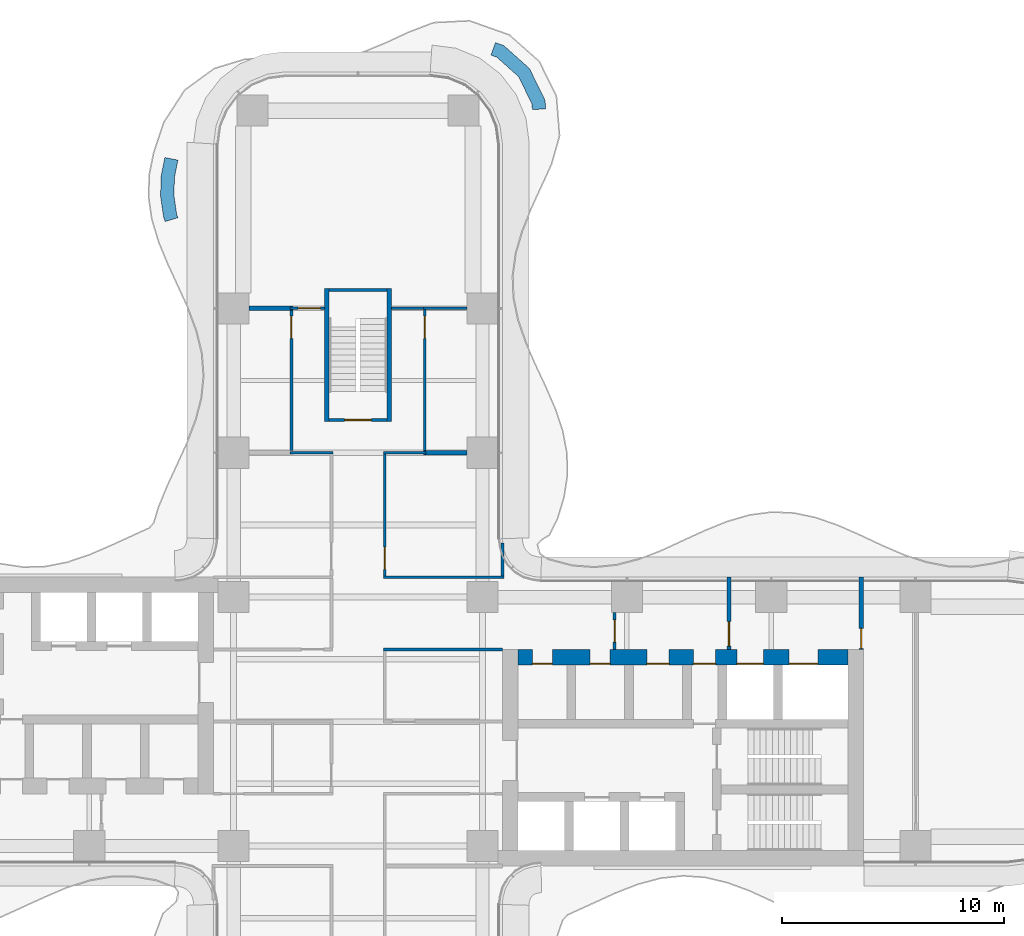
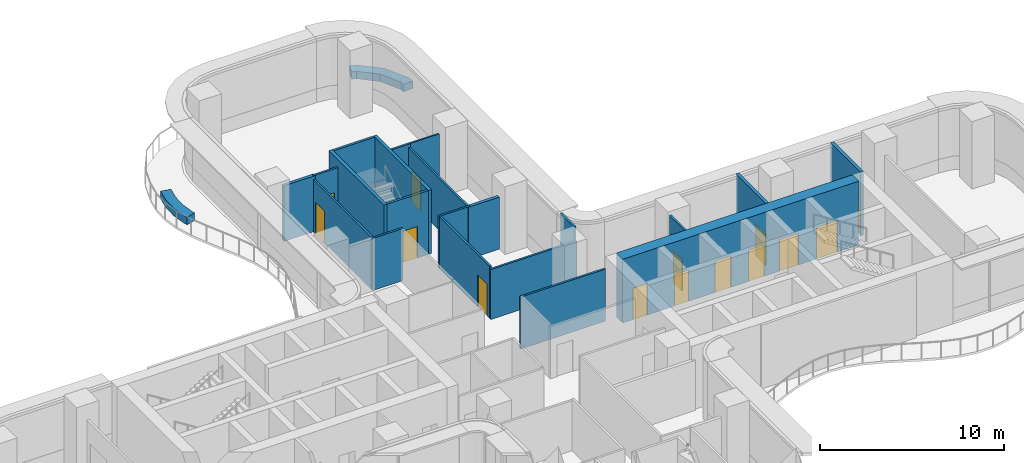
# One storey, part 19 of 22: 23 walls, 14 doors, 14 openings.
"""IFC4 building model written with IfcOpenShell, lengths in metres."""

from ifc_helpers import new_model, si_unit, direction, frame, frame_2d, origin, place, context, subcontext, project, spatial, polyline, rectangle, outline, extrude, source, transform, mapped, material, layer, layer_set, type_object, element, fill, save


model = new_model("IFC4")

# Units and contexts
model_context = context("Model", 3, precision=1e-05, world=origin(), true_north=direction((0.0, 1.0)))
body_context = subcontext(model_context, "Body", "Model", "MODEL_VIEW")
ifc_project = project(units=[si_unit("LENGTHUNIT", "METRE"), si_unit("AREAUNIT", "SQUARE_METRE"), si_unit("VOLUMEUNIT", "CUBIC_METRE"), si_unit("PLANEANGLEUNIT", "RADIAN"), si_unit("MASSUNIT", "GRAM", prefix="KILO")], contexts=[model_context])

# Site, building, storey
site_placement = place(None, origin())
site = spatial("IfcSite", under=ifc_project, at=site_placement, CompositionType="ELEMENT")
building_placement = place(site_placement, origin())
building = spatial("IfcBuilding", under=site, at=building_placement, Name="Trellis Farm Tower", CompositionType="ELEMENT")
storey_placement = place(building_placement, frame((0.0, 0.0, 38.5)))
storey = spatial("IfcBuildingStorey", under=building, at=storey_placement, Name="L07", CompositionType="ELEMENT", Elevation=38.5)

# Walls
ifc_material_1 = material(Name="Sandstone faced masonry planter", Category="masonry")
ifc_layer_1 = layer(ifc_material_1, 0.60009765625)
ifc_layer_set_1 = layer_set([ifc_layer_1], Name="PLANTER BED 600")
wall_type_1 = type_object("IfcWallType", Name="PLANTER BED 600", PredefinedType="USERDEFINED", material=ifc_layer_set_1)
placement = place(storey_placement, origin())
element("IfcWall", 1, at=placement, inside=storey, type_object=wall_type_1, Name="PLANTER bed", ObjectType="PLANTER", PredefinedType="USERDEFINED", context=body_context, shape_type="SweptSolid", body=[
    extrude(outline(polyline([(6.5673828125, 30.42431640625), (7.7158203125, 29.3984375), (8.420166015625, 27.958740234375), (8.4462890625, 27.58349609375), (7.84765625, 27.5419921875), (7.82958984375, 27.80029296875), (7.228515625, 29.029052734375), (6.25341796875, 29.900146484375), (5.982421875, 29.9990234375), (6.188232421875, 30.5625), (6.5673828125, 30.42431640625)])), origin(), (0.0, 0.0, 1.0), 0.5),
])
element("IfcWall", 2, at=placement, inside=storey, type_object=wall_type_1, Name="PLANTER bed", ObjectType="PLANTER", PredefinedType="USERDEFINED", context=body_context, shape_type="SweptSolid", body=[
    extrude(outline(polyline([(-8.8876953125, 23.645263671875), (-8.861083984375, 24.550048828125), (-8.694091796875, 25.387939453125), (-8.105712890625, 25.270751953125), (-8.2626953125, 24.482177734375), (-8.286376953125, 23.6796875), (-8.16748046875, 22.861328125), (-8.11279296875, 22.6787109375), (-8.687255859375, 22.506103515625), (-8.7548828125, 22.731201171875), (-8.8876953125, 23.645263671875)])), origin(), (0.0, 0.0, 1.0), 0.5),
])

# Wall, opening, door
ifc_material_2 = material(Name="Masonry blockwork", Category="masonry")
ifc_layer_2 = layer(ifc_material_2, 0.199951171875)
ifc_layer_set_2 = layer_set([ifc_layer_2], Name="FIRE LOBBY PARTITION 200 BLOCKWORK")
wall_type_2 = type_object("IfcWallType", Name="FIRE LOBBY PARTITION 200 BLOCKWORK", PredefinedType="PARTITIONING", material=ifc_layer_set_2)
shared_shape_1 = source(origin(), body_context, "Body", "SweptSolid", [
    extrude(rectangle(XDim=3.25, YDim=0.199951171875, at=frame_2d((1.625, 0.0))), origin(), (0.0, 0.0, 1.0), 4.25),
])
wall_3_placement = place(storey_placement, frame((16.699951171875, 3.25, 0.0), z_axis=(0.0, 0.0, 1.0), x_axis=(0.0, 1.0, 0.0)))
wall_3 = element("IfcWall", 3, at=wall_3_placement, inside=storey, type_object=wall_type_2, Name="Fire-fighting lobby partition", PredefinedType="PARTITIONING", context=body_context, shape_type="MappedRepresentation", body=[
    mapped(shared_shape_1, transform((0.0, 0.0, 0.0))),
])
shared_shape_2 = source(origin(), body_context, "Body", "SweptSolid", [
    extrude(rectangle(XDim=1.10009765625, YDim=2.10009765625, at=frame_2d((0.550048828125, 1.050048828125))), frame((0.0, 0.110107421875, 0.0), z_axis=(0.0, -1.0, 0.0), x_axis=(1.0, 0.0, 0.0)), (0.0, 0.0, 1.0), 0.22021484375),
])
opening_1_placement = place(wall_3_placement, frame((0.14990234375, 0.0, 0.0)))
opening_1 = element("IfcOpeningElement", 4, at=opening_1_placement, cuts=wall_3, Name="Opening DC7", PredefinedType="OPENING", context=body_context, shape_type="MappedRepresentation", body=[
    mapped(shared_shape_2, transform((0.0, 0.0, 0.0))),
])
ifc_material_3 = material(Name="Steel", Category="steel")
door_type_1 = type_object("IfcDoorType", Name="CORE FIRE DOOR 1100 X 2100", OperationType="NOTDEFINED", PredefinedType="DOOR", material=ifc_material_3)
shared_shape_3 = source(origin(), body_context, "Body", "SweptSolid", [
    extrude(rectangle(XDim=1.10009765625, YDim=2.10009765625, at=frame_2d((0.550048828125, 1.050048828125))), frame((0.0, 0.02490234375, 0.0), z_axis=(0.0, -1.0, 0.0), x_axis=(1.0, 0.0, 0.0)), (0.0, 0.0, 1.0), 0.050048828125),
])
door_1_placement = place(opening_1_placement, origin())
door_1 = element("IfcDoor", 5, at=door_1_placement, inside=storey, type_object=door_type_1, Name="Core door", OperationType="SINGLE_SWING_RIGHT", OverallHeight=2.10009765625, OverallWidth=1.10009765625, PredefinedType="DOOR", context=body_context, shape_type="MappedRepresentation", body=[
    mapped(shared_shape_3, transform((0.0, 0.0, 0.0))),
])
fill(opening_1, door_1)

wall_4_placement = place(storey_placement, frame((22.64990234375, 3.25, 0.0), z_axis=(0.0, 0.0, 1.0), x_axis=(0.0, 1.0, 0.0)))
wall_4 = element("IfcWall", 6, at=wall_4_placement, inside=storey, type_object=wall_type_2, Name="Fire-fighting lobby partition", PredefinedType="PARTITIONING", context=body_context, shape_type="MappedRepresentation", body=[
    mapped(shared_shape_1, transform((0.0, 0.0, 0.0))),
])
shared_shape_4 = source(origin(), body_context, "Body", "SweptSolid", [
    extrude(rectangle(XDim=0.89990234375, YDim=2.10009765625, at=frame_2d((0.449951171875, 1.050048828125))), frame((0.0, 0.110107421875, 0.0), z_axis=(0.0, -1.0, 0.0), x_axis=(1.0, 0.0, 0.0)), (0.0, 0.0, 1.0), 0.22021484375),
])
opening_2_placement = place(wall_4_placement, frame((0.050048828125, 0.0, 0.0)))
opening_2 = element("IfcOpeningElement", 7, at=opening_2_placement, cuts=wall_4, Name="Opening DC8", PredefinedType="OPENING", context=body_context, shape_type="MappedRepresentation", body=[
    mapped(shared_shape_4, transform((0.0, 0.0, 0.0))),
])
door_type_2 = type_object("IfcDoorType", Name="CORE FIRE DOOR 900 X 2100", OperationType="NOTDEFINED", PredefinedType="DOOR", material=ifc_material_3)
shared_shape_5 = source(origin(), body_context, "Body", "SweptSolid", [
    extrude(rectangle(XDim=0.89990234375, YDim=2.10009765625, at=frame_2d((0.449951171875, 1.050048828125))), frame((0.0, 0.02490234375, 0.0), z_axis=(0.0, -1.0, 0.0), x_axis=(1.0, 0.0, 0.0)), (0.0, 0.0, 1.0), 0.050048828125),
])
door_2_placement = place(opening_2_placement, origin())
door_2 = element("IfcDoor", 8, at=door_2_placement, inside=storey, type_object=door_type_2, Name="Core door", OperationType="SINGLE_SWING_RIGHT", OverallHeight=2.10009765625, OverallWidth=0.89990234375, PredefinedType="DOOR", context=body_context, shape_type="MappedRepresentation", body=[
    mapped(shared_shape_5, transform((0.0, 0.0, 0.0))),
])
fill(opening_2, door_2)

# Wall, openings, doors
ifc_material_4 = material(Name="Concrete C80/95", Category="concrete")
ifc_layer_3 = layer(ifc_material_4, 0.699951171875)
ifc_layer_set_3 = layer_set([ifc_layer_3], Name="CORE OUTER WALL 700 CONCRETE C80/95")
wall_type_3 = type_object("IfcWallType", Name="CORE OUTER WALL 700 CONCRETE C80/95", PredefinedType="SHEAR", material=ifc_layer_set_3)
shared_shape_6 = source(origin(), body_context, "Body", "SweptSolid", [
    extrude(rectangle(XDim=14.85009765625, YDim=0.699951171875, at=frame_2d((7.425048828125, 0.0))), origin(), (0.0, 0.0, 1.0), 4.25),
])
wall_5_placement = place(storey_placement, frame((7.199951171875, 2.89990234375, 0.0), z_axis=(0.0, 0.0, 1.0), x_axis=(1.0, 0.0, 0.0)))
wall_5 = element("IfcWall", 9, at=wall_5_placement, inside=storey, type_object=wall_type_3, Name="Core wall", PredefinedType="SHEAR", context=body_context, shape_type="MappedRepresentation", body=[
    mapped(shared_shape_6, transform((0.0, 0.0, 0.0))),
])
shared_shape_7 = source(origin(), body_context, "Body", "SweptSolid", [
    extrude(rectangle(XDim=1.300048828125, YDim=2.10009765625, at=frame_2d((0.64990234375, 1.050048828125))), frame((0.0, 0.360107421875, 0.0), z_axis=(0.0, -1.0, 0.0), x_axis=(1.0, 0.0, 0.0)), (0.0, 0.0, 1.0), 0.72021484375),
])
opening_3_placement = place(wall_5_placement, frame((12.199951171875, 0.0, 0.0)))
opening_3 = element("IfcOpeningElement", 10, at=opening_3_placement, cuts=wall_5, Name="Opening LD7", PredefinedType="OPENING", context=body_context, shape_type="MappedRepresentation", body=[
    mapped(shared_shape_7, transform((0.0, 0.0, 0.0))),
])
shared_shape_8 = source(origin(), body_context, "Body", "SweptSolid", [
    extrude(rectangle(XDim=1.199951171875, YDim=2.10009765625, at=frame_2d((0.60009765625, 1.050048828125))), frame((0.0, 0.360107421875, 0.0), z_axis=(0.0, -1.0, 0.0), x_axis=(1.0, 0.0, 0.0)), (0.0, 0.0, 1.0), 0.72021484375),
])
opening_4_placement = place(wall_5_placement, frame((9.85009765625, 0.0, 0.0)))
opening_4 = element("IfcOpeningElement", 11, at=opening_4_placement, cuts=wall_5, Name="Opening LD8", PredefinedType="OPENING", context=body_context, shape_type="MappedRepresentation", body=[
    mapped(shared_shape_8, transform((0.0, 0.0, 0.0))),
])
shared_shape_9 = source(origin(), body_context, "Body", "SweptSolid", [
    extrude(rectangle(XDim=1.0, YDim=2.10009765625, at=frame_2d((0.5, 1.050048828125))), frame((0.0, 0.360107421875, 0.0), z_axis=(0.0, -1.0, 0.0), x_axis=(1.0, 0.0, 0.0)), (0.0, 0.0, 1.0), 0.72021484375),
])
opening_5_placement = place(wall_5_placement, frame((7.89990234375, 0.0, 0.0)))
opening_5 = element("IfcOpeningElement", 12, at=opening_5_placement, cuts=wall_5, Name="Opening DC6", PredefinedType="OPENING", context=body_context, shape_type="MappedRepresentation", body=[
    mapped(shared_shape_9, transform((0.0, 0.0, 0.0))),
])
shared_shape_10 = source(origin(), body_context, "Body", "SweptSolid", [
    extrude(rectangle(XDim=0.89990234375, YDim=2.10009765625, at=frame_2d((0.449951171875, 1.050048828125))), frame((0.0, 0.360107421875, 0.0), z_axis=(0.0, -1.0, 0.0), x_axis=(1.0, 0.0, 0.0)), (0.0, 0.0, 1.0), 0.72021484375),
])
opening_6_placement = place(wall_5_placement, frame((0.64990234375, 0.0, 0.0)))
opening_6 = element("IfcOpeningElement", 13, at=opening_6_placement, cuts=wall_5, Name="Opening DC11", PredefinedType="OPENING", context=body_context, shape_type="MappedRepresentation", body=[
    mapped(shared_shape_10, transform((0.0, 0.0, 0.0))),
])
opening_7_placement = place(wall_5_placement, frame((3.25, 0.0, 0.0)))
opening_7 = element("IfcOpeningElement", 14, at=opening_7_placement, cuts=wall_5, Name="Opening DC24", PredefinedType="OPENING", context=body_context, shape_type="MappedRepresentation", body=[
    mapped(shared_shape_10, transform((0.0, 0.0, 0.0))),
])
opening_8_placement = place(wall_5_placement, frame((5.800048828125, 0.0, 0.0)))
opening_8 = element("IfcOpeningElement", 15, at=opening_8_placement, cuts=wall_5, Name="Opening DC37", PredefinedType="OPENING", context=body_context, shape_type="MappedRepresentation", body=[
    mapped(shared_shape_9, transform((0.0, 0.0, 0.0))),
])
door_type_3 = type_object("IfcDoorType", Name="CORE FIRE DOOR 1000 X 2100", OperationType="NOTDEFINED", PredefinedType="DOOR", material=ifc_material_3)
shared_shape_11 = source(origin(), body_context, "Body", "SweptSolid", [
    extrude(rectangle(XDim=1.0, YDim=2.10009765625, at=frame_2d((0.5, 1.050048828125))), frame((0.0, -0.27490234375, 0.0), z_axis=(0.0, -1.0, 0.0), x_axis=(1.0, 0.0, 0.0)), (0.0, 0.0, 1.0), 0.050048828125),
])
door_3_placement = place(opening_5_placement, origin())
door_3 = element("IfcDoor", 16, at=door_3_placement, inside=storey, type_object=door_type_3, Name="Core door", OperationType="SINGLE_SWING_LEFT", OverallHeight=2.10009765625, OverallWidth=1.0, PredefinedType="DOOR", context=body_context, shape_type="MappedRepresentation", body=[
    mapped(shared_shape_11, transform((0.0, 0.0, 0.0))),
])
fill(opening_5, door_3)
door_4_placement = place(opening_8_placement, origin())
door_4 = element("IfcDoor", 17, at=door_4_placement, inside=storey, type_object=door_type_3, Name="Core door", OperationType="SINGLE_SWING_LEFT", OverallHeight=2.10009765625, OverallWidth=1.0, PredefinedType="DOOR", context=body_context, shape_type="MappedRepresentation", body=[
    mapped(shared_shape_11, transform((0.0, 0.0, 0.0))),
])
fill(opening_8, door_4)
shared_shape_12 = source(origin(), body_context, "Body", "SweptSolid", [
    extrude(rectangle(XDim=0.89990234375, YDim=2.10009765625, at=frame_2d((0.449951171875, 1.050048828125))), frame((0.0, -0.27490234375, 0.0), z_axis=(0.0, -1.0, 0.0), x_axis=(1.0, 0.0, 0.0)), (0.0, 0.0, 1.0), 0.050048828125),
])
door_5_placement = place(opening_6_placement, origin())
door_5 = element("IfcDoor", 18, at=door_5_placement, inside=storey, type_object=door_type_2, Name="Core door", OperationType="SINGLE_SWING_LEFT", OverallHeight=2.10009765625, OverallWidth=0.89990234375, PredefinedType="DOOR", context=body_context, shape_type="MappedRepresentation", body=[
    mapped(shared_shape_12, transform((0.0, 0.0, 0.0))),
])
fill(opening_6, door_5)
door_6_placement = place(opening_7_placement, origin())
door_6 = element("IfcDoor", 19, at=door_6_placement, inside=storey, type_object=door_type_2, Name="Core door", OperationType="SINGLE_SWING_RIGHT", OverallHeight=2.10009765625, OverallWidth=0.89990234375, PredefinedType="DOOR", context=body_context, shape_type="MappedRepresentation", body=[
    mapped(shared_shape_12, transform((0.0, 0.0, 0.0))),
])
fill(opening_7, door_6)
ifc_material_5 = material(Name="Stainless steel", Category="steel")
door_type_4 = type_object("IfcDoorType", Name="LIFT LANDING DOOR 1300 X 2100", OperationType="DOUBLE_DOOR_SLIDING", PredefinedType="DOOR", material=ifc_material_5)
shared_shape_13 = source(origin(), body_context, "Body", "SweptSolid", [
    extrude(rectangle(XDim=1.300048828125, YDim=2.10009765625, at=frame_2d((0.64990234375, 1.050048828125))), frame((0.0, -0.27490234375, 0.0), z_axis=(0.0, -1.0, 0.0), x_axis=(1.0, 0.0, 0.0)), (0.0, 0.0, 1.0), 0.050048828125),
])
door_7_placement = place(opening_3_placement, origin())
door_7 = element("IfcDoor", 20, at=door_7_placement, inside=storey, type_object=door_type_4, Name="Lift landing door", OperationType="DOUBLE_DOOR_SLIDING", OverallHeight=2.10009765625, OverallWidth=1.300048828125, PredefinedType="DOOR", context=body_context, shape_type="MappedRepresentation", body=[
    mapped(shared_shape_13, transform((0.0, 0.0, 0.0))),
])
fill(opening_3, door_7)
door_type_5 = type_object("IfcDoorType", Name="LIFT LANDING DOOR 1200 X 2100", OperationType="DOUBLE_DOOR_SLIDING", PredefinedType="DOOR", material=ifc_material_5)
shared_shape_14 = source(origin(), body_context, "Body", "SweptSolid", [
    extrude(rectangle(XDim=1.199951171875, YDim=2.10009765625, at=frame_2d((0.60009765625, 1.050048828125))), frame((0.0, -0.27490234375, 0.0), z_axis=(0.0, -1.0, 0.0), x_axis=(1.0, 0.0, 0.0)), (0.0, 0.0, 1.0), 0.050048828125),
])
door_8_placement = place(opening_4_placement, origin())
door_8 = element("IfcDoor", 21, at=door_8_placement, inside=storey, type_object=door_type_5, Name="Lift landing door", OperationType="DOUBLE_DOOR_SLIDING", OverallHeight=2.10009765625, OverallWidth=1.199951171875, PredefinedType="DOOR", context=body_context, shape_type="MappedRepresentation", body=[
    mapped(shared_shape_14, transform((0.0, 0.0, 0.0))),
])
fill(opening_4, door_8)

# Walls
ifc_layer_4 = layer(ifc_material_4, 0.199951171875)
ifc_layer_set_4 = layer_set([ifc_layer_4], Name="CORE STAIR ENCLOSURE WALL 200 CONCRETE C80/95")
wall_type_4 = type_object("IfcWallType", Name="CORE STAIR ENCLOSURE WALL 200 CONCRETE C80/95", PredefinedType="SHEAR", material=ifc_layer_set_4)
shared_shape_15 = source(origin(), body_context, "Body", "SweptSolid", [
    extrude(rectangle(XDim=6.0, YDim=0.199951171875, at=frame_2d((3.0, 0.0))), origin(), (0.0, 0.0, 1.0), 4.25),
])
for number, where, z_axis, x_axis, name in (
    (22, (-1.39990234375, 13.5, 0.0), (0.0, 0.0, 1.0), (0.0, 1.0, 0.0), "Stair enclosure wall"),
    (23, (1.39990234375, 13.5, 0.0), (0.0, 0.0, 1.0), (0.0, 1.0, 0.0), "Stair enclosure wall"),
):
    element("IfcWall", number, at=place(storey_placement, frame(where, z_axis=z_axis, x_axis=x_axis)), inside=storey, type_object=wall_type_4, Name=name, PredefinedType="SHEAR", context=body_context, shape_type="MappedRepresentation", body=[
        mapped(shared_shape_15, transform((0.0, 0.0, 0.0))),
    ])

# Wall, opening, door
ifc_layer_5 = layer(ifc_material_4, 0.14990234375)
ifc_layer_set_5 = layer_set([ifc_layer_5], Name="CORE STAIR ENCLOSURE WALL 150 CONCRETE C80/95")
wall_type_5 = type_object("IfcWallType", Name="CORE STAIR ENCLOSURE WALL 150 CONCRETE C80/95", PredefinedType="SHEAR", material=ifc_layer_set_5)
shared_shape_16 = source(origin(), body_context, "Body", "SweptSolid", [
    extrude(rectangle(XDim=2.60009765625, YDim=0.14990234375, at=frame_2d((1.300048828125, 0.0))), origin(), (0.0, 0.0, 1.0), 4.25),
])
wall_6_placement = place(storey_placement, frame((-1.300048828125, 13.574951171875, 0.0), z_axis=(0.0, 0.0, 1.0), x_axis=(1.0, 0.0, 0.0)))
wall_6 = element("IfcWall", 24, at=wall_6_placement, inside=storey, type_object=wall_type_5, Name="Stair enclosure wall", PredefinedType="SHEAR", context=body_context, shape_type="MappedRepresentation", body=[
    mapped(shared_shape_16, transform((0.0, 0.0, 0.0))),
])
shared_shape_17 = source(origin(), body_context, "Body", "SweptSolid", [
    extrude(rectangle(XDim=1.199951171875, YDim=2.10009765625, at=frame_2d((0.60009765625, 1.050048828125))), frame((0.0, 0.0849609375, 0.0), z_axis=(0.0, -1.0, 0.0), x_axis=(1.0, 0.0, 0.0)), (0.0, 0.0, 1.0), 0.169921875),
])
opening_9_placement = place(wall_6_placement, frame((0.699951171875, 0.0, 0.0)))
opening_9 = element("IfcOpeningElement", 25, at=opening_9_placement, cuts=wall_6, Name="Opening DC173", PredefinedType="OPENING", context=body_context, shape_type="MappedRepresentation", body=[
    mapped(shared_shape_17, transform((0.0, 0.0, 0.0))),
])
door_type_6 = type_object("IfcDoorType", Name="CORE FIRE DOOR 1200 X 2100", OperationType="NOTDEFINED", PredefinedType="DOOR", material=ifc_material_3)
shared_shape_18 = source(origin(), body_context, "Body", "SweptSolid", [
    extrude(rectangle(XDim=1.199951171875, YDim=2.10009765625, at=frame_2d((0.60009765625, 1.050048828125))), frame((0.0, 0.02490234375, 0.0), z_axis=(0.0, -1.0, 0.0), x_axis=(1.0, 0.0, 0.0)), (0.0, 0.0, 1.0), 0.050048828125),
])
door_9_placement = place(opening_9_placement, origin())
door_9 = element("IfcDoor", 26, at=door_9_placement, inside=storey, type_object=door_type_6, Name="Core door", OperationType="SINGLE_SWING_LEFT", OverallHeight=2.10009765625, OverallWidth=1.199951171875, PredefinedType="DOOR", context=body_context, shape_type="MappedRepresentation", body=[
    mapped(shared_shape_18, transform((0.0, 0.0, 0.0))),
])
fill(opening_9, door_9)

# Wall
wall_7_placement = place(storey_placement, frame((-1.300048828125, 19.425048828125, 0.0), z_axis=(0.0, 0.0, 1.0), x_axis=(1.0, 0.0, 0.0)))
element("IfcWall", 27, at=wall_7_placement, inside=storey, type_object=wall_type_5, Name="Stair enclosure wall", PredefinedType="SHEAR", context=body_context, shape_type="MappedRepresentation", body=[
    mapped(shared_shape_16, transform((0.0, 0.0, 0.0))),
])

# Wall, opening, door
ifc_material_6 = material(Name="Plasterboard on steel studs, mineral wool", Category="steel")
ifc_layer_6 = layer(ifc_material_6, 0.125)
ifc_layer_set_6 = layer_set([ifc_layer_6], Name="PARTITION 125 STUD EI 60")
wall_type_6 = type_object("IfcWallType", Name="PARTITION 125 STUD EI 60", PredefinedType="PARTITIONING", material=ifc_layer_set_6)
shared_shape_19 = source(origin(), body_context, "Body", "SweptSolid", [
    extrude(rectangle(XDim=5.47509765625, YDim=0.125, at=frame_2d((2.737548828125, 0.0))), origin(), (0.0, 0.0, 1.0), 3.4677734375),
])
wall_8_placement = place(storey_placement, frame((1.199951171875, 12.03759765625, 0.0), z_axis=(0.0, 0.0, 1.0), x_axis=(0.0, -1.0, 0.0)))
wall_8 = element("IfcWall", 28, at=wall_8_placement, inside=storey, type_object=wall_type_6, Name="Partition PW1", PredefinedType="PARTITIONING", context=body_context, shape_type="MappedRepresentation", body=[
    mapped(shared_shape_19, transform((0.0, 0.0, 0.0))),
])
shared_shape_20 = source(origin(), body_context, "Body", "SweptSolid", [
    extrude(rectangle(XDim=1.0, YDim=2.10009765625, at=frame_2d((0.5, 1.050048828125))), frame((0.0, 0.072509765625, 0.0), z_axis=(0.0, -1.0, 0.0), x_axis=(1.0, 0.0, 0.0)), (0.0, 0.0, 1.0), 0.14501953125),
])
opening_10_placement = place(wall_8_placement, frame((4.1875, 0.0, 0.0)))
opening_10 = element("IfcOpeningElement", 29, at=opening_10_placement, cuts=wall_8, Name="Opening D304", PredefinedType="OPENING", context=body_context, shape_type="MappedRepresentation", body=[
    mapped(shared_shape_20, transform((0.0, 0.0, 0.0))),
])
ifc_material_7 = material(Name="Fire-rated timber door leaf in a hollow metal frame", Category="wood")
door_type_7 = type_object("IfcDoorType", Name="DOOR 1000x2100 FD60", OperationType="NOTDEFINED", PredefinedType="DOOR", material=ifc_material_7)
shared_shape_21 = source(origin(), body_context, "Body", "SweptSolid", [
    extrude(rectangle(XDim=1.0, YDim=2.10009765625, at=frame_2d((0.5, 1.050048828125))), frame((0.0, 0.02490234375, 0.0), z_axis=(0.0, -1.0, 0.0), x_axis=(1.0, 0.0, 0.0)), (0.0, 0.0, 1.0), 0.050048828125),
])
door_10_placement = place(opening_10_placement, origin())
door_10 = element("IfcDoor", 30, at=door_10_placement, inside=storey, type_object=door_type_7, Name="Door D304", OperationType="SINGLE_SWING_RIGHT", OverallHeight=2.10009765625, OverallWidth=1.0, PredefinedType="DOOR", context=body_context, shape_type="MappedRepresentation", body=[
    mapped(shared_shape_21, transform((0.0, 0.0, 0.0))),
])
fill(opening_10, door_10)

shared_shape_22 = source(origin(), body_context, "Body", "SweptSolid", [
    extrude(rectangle(XDim=6.35009765625, YDim=0.125, at=frame_2d((3.175048828125, 0.0))), origin(), (0.0, 0.0, 1.0), 3.4677734375),
])
wall_9_placement = place(storey_placement, frame((3.0, 18.550048828125, 0.0), z_axis=(0.0, 0.0, 1.0), x_axis=(0.0, -1.0, 0.0)))
wall_9 = element("IfcWall", 31, at=wall_9_placement, inside=storey, type_object=wall_type_6, Name="Partition PW1", PredefinedType="PARTITIONING", context=body_context, shape_type="MappedRepresentation", body=[
    mapped(shared_shape_22, transform((0.0, 0.0, 0.0))),
])
opening_11_placement = place(wall_9_placement, frame((0.300048828125, 0.0, 0.0)))
opening_11 = element("IfcOpeningElement", 32, at=opening_11_placement, cuts=wall_9, Name="Opening D110", PredefinedType="OPENING", context=body_context, shape_type="MappedRepresentation", body=[
    mapped(shared_shape_20, transform((0.0, 0.0, 0.0))),
])
door_type_8 = type_object("IfcDoorType", Name="DOOR 1000x2100 FD30S", OperationType="NOTDEFINED", PredefinedType="DOOR", material=ifc_material_7)
door_11_placement = place(opening_11_placement, origin())
door_11 = element("IfcDoor", 33, at=door_11_placement, inside=storey, type_object=door_type_8, Name="Door D110", OperationType="SINGLE_SWING_LEFT", OverallHeight=2.10009765625, OverallWidth=1.0, PredefinedType="DOOR", context=body_context, shape_type="MappedRepresentation", body=[
    mapped(shared_shape_21, transform((0.0, 0.0, 0.0))),
])
fill(opening_11, door_11)

# Wall
shared_shape_23 = source(origin(), body_context, "Body", "SweptSolid", [
    extrude(rectangle(XDim=1.468994140625, YDim=0.125, at=frame_2d((0.734375, 0.0))), origin(), (0.0, 0.0, 1.0), 4.25),
])
wall_10_placement = place(storey_placement, frame((6.5, 6.5625, 0.0), z_axis=(0.0, 0.0, 1.0), x_axis=(0.0, 1.0, 0.0)))
element("IfcWall", 34, at=wall_10_placement, inside=storey, type_object=wall_type_6, Name="Partition PW1", PredefinedType="PARTITIONING", context=body_context, shape_type="MappedRepresentation", body=[
    mapped(shared_shape_23, transform((0.0, 0.0, 0.0))),
])

# Wall, opening, door
shared_shape_24 = source(origin(), body_context, "Body", "SweptSolid", [
    extrude(rectangle(XDim=1.64990234375, YDim=0.125, at=frame_2d((0.824951171875, 0.0))), origin(), (0.0, 0.0, 1.0), 4.25),
])
wall_11_placement = place(storey_placement, frame((11.550048828125, 3.25, 0.0), z_axis=(0.0, 0.0, 1.0), x_axis=(0.0, 1.0, 0.0)))
wall_11 = element("IfcWall", 35, at=wall_11_placement, inside=storey, type_object=wall_type_6, Name="Partition PW1", PredefinedType="PARTITIONING", context=body_context, shape_type="MappedRepresentation", body=[
    mapped(shared_shape_24, transform((0.0, 0.0, 0.0))),
])
opening_12_placement = place(wall_11_placement, frame((0.324951171875, 0.0, 0.0)))
opening_12 = element("IfcOpeningElement", 36, at=opening_12_placement, cuts=wall_11, Name="Opening D303", PredefinedType="OPENING", context=body_context, shape_type="MappedRepresentation", body=[
    mapped(shared_shape_20, transform((0.0, 0.0, 0.0))),
])
door_12_placement = place(opening_12_placement, origin())
door_12 = element("IfcDoor", 37, at=door_12_placement, inside=storey, type_object=door_type_7, Name="Door D303", OperationType="SINGLE_SWING_LEFT", OverallHeight=2.10009765625, OverallWidth=1.0, PredefinedType="DOOR", context=body_context, shape_type="MappedRepresentation", body=[
    mapped(shared_shape_21, transform((0.0, 0.0, 0.0))),
])
fill(opening_12, door_12)

# Wall
ifc_material_8 = material(Name="Plasterboard on steel studs", Category="steel")
ifc_layer_7 = layer(ifc_material_8, 0.10009765625)
ifc_layer_set_7 = layer_set([ifc_layer_7], Name="PARTITION 100 STUD EI 30")
wall_type_7 = type_object("IfcWallType", Name="PARTITION 100 STUD EI 30", PredefinedType="PARTITIONING", material=ifc_layer_set_7)
shared_shape_25 = source(origin(), body_context, "Body", "SweptSolid", [
    extrude(rectangle(XDim=1.96240234375, YDim=0.10009765625, at=frame_2d((0.981201171875, 0.0))), origin(), (0.0, 0.0, 1.0), 3.69677734375),
])
wall_12_placement = place(storey_placement, frame((2.9375, 18.60009765625, 0.0), z_axis=(0.0, 0.0, 1.0), x_axis=(1.0, 0.0, 0.0)))
element("IfcWall", 38, at=wall_12_placement, inside=storey, type_object=wall_type_7, Name="Partition PW2", PredefinedType="PARTITIONING", context=body_context, shape_type="MappedRepresentation", body=[
    mapped(shared_shape_25, transform((0.0, 0.0, 0.0))),
])

# Wall, opening, door
shared_shape_26 = source(origin(), body_context, "Body", "SweptSolid", [
    extrude(rectangle(XDim=1.5625, YDim=0.125, at=frame_2d((0.78125, 0.0))), origin(), (0.0, 0.0, 1.0), 3.69677734375),
])
wall_13_placement = place(storey_placement, frame((-3.0625, 18.60009765625, 0.0), z_axis=(0.0, 0.0, 1.0), x_axis=(1.0, 0.0, 0.0)))
wall_13 = element("IfcWall", 39, at=wall_13_placement, inside=storey, type_object=wall_type_6, Name="Partition PW1", PredefinedType="PARTITIONING", context=body_context, shape_type="MappedRepresentation", body=[
    mapped(shared_shape_26, transform((0.0, 0.0, 0.0))),
])
opening_13_placement = place(wall_13_placement, frame((0.362548828125, 0.0, 0.0)))
opening_13 = element("IfcOpeningElement", 40, at=opening_13_placement, cuts=wall_13, Name="Opening D111", PredefinedType="OPENING", context=body_context, shape_type="MappedRepresentation", body=[
    mapped(shared_shape_20, transform((0.0, 0.0, 0.0))),
])
door_13_placement = place(opening_13_placement, origin())
door_13 = element("IfcDoor", 41, at=door_13_placement, inside=storey, type_object=door_type_8, Name="Door D111", OperationType="SINGLE_SWING_RIGHT", OverallHeight=2.10009765625, OverallWidth=1.0, PredefinedType="DOOR", context=body_context, shape_type="MappedRepresentation", body=[
    mapped(shared_shape_21, transform((0.0, 0.0, 0.0))),
])
fill(opening_13, door_13)

# Walls
wall_14_placement = place(storey_placement, frame((1.5, 18.60009765625, 0.0), z_axis=(0.0, 0.0, 1.0), x_axis=(1.0, 0.0, 0.0)))
element("IfcWall", 42, at=wall_14_placement, inside=storey, type_object=wall_type_6, Name="Partition PW1", PredefinedType="PARTITIONING", context=body_context, shape_type="MappedRepresentation", body=[
    mapped(shared_shape_26, transform((0.0, 0.0, 0.0))),
])
shared_shape_27 = source(origin(), body_context, "Body", "SweptSolid", [
    extrude(rectangle(XDim=1.925048828125, YDim=0.125, at=frame_2d((0.96240234375, 0.0))), origin(), (0.0, 0.0, 1.0), 3.4677734375),
])
for number, where, z_axis, x_axis, name in (
    (43, (-1.137451171875, 12.10009765625, 0.0), (0.0, 0.0, 1.0), (-1.0, 0.0, 0.0), "Partition PW1"),
    (44, (3.0625, 12.10009765625, 0.0), (0.0, 0.0, 1.0), (-1.0, 0.0, 0.0), "Partition PW1"),
):
    element("IfcWall", number, at=place(storey_placement, frame(where, z_axis=z_axis, x_axis=x_axis)), inside=storey, type_object=wall_type_6, Name=name, PredefinedType="PARTITIONING", context=body_context, shape_type="MappedRepresentation", body=[
        mapped(shared_shape_27, transform((0.0, 0.0, 0.0))),
    ])
shared_shape_28 = source(origin(), body_context, "Body", "SweptSolid", [
    extrude(rectangle(XDim=5.362548828125, YDim=0.125, at=frame_2d((2.68115234375, 0.0))), origin(), (0.0, 0.0, 1.0), 3.4677734375),
])
wall_15_placement = place(storey_placement, frame((1.137451171875, 3.25, 0.0), z_axis=(0.0, 0.0, 1.0), x_axis=(1.0, 0.0, 0.0)))
element("IfcWall", 45, at=wall_15_placement, inside=storey, type_object=wall_type_6, Name="Partition PW1", PredefinedType="PARTITIONING", context=body_context, shape_type="MappedRepresentation", body=[
    mapped(shared_shape_28, transform((0.0, 0.0, 0.0))),
])
shared_shape_29 = source(origin(), body_context, "Body", "SweptSolid", [
    extrude(rectangle(XDim=5.425048828125, YDim=0.125, at=frame_2d((2.71240234375, 0.0))), origin(), (0.0, 0.0, 1.0), 3.330078125),
])
wall_16_placement = place(storey_placement, frame((1.137451171875, 6.5, 0.0), z_axis=(0.0, 0.0, 1.0), x_axis=(1.0, 0.0, 0.0)))
element("IfcWall", 46, at=wall_16_placement, inside=storey, type_object=wall_type_6, Name="Partition PW1", PredefinedType="PARTITIONING", context=body_context, shape_type="MappedRepresentation", body=[
    mapped(shared_shape_29, transform((0.0, 0.0, 0.0))),
])
ifc_material_9 = material(Name="Lightweight blockwork, plastered", Category="masonry")
ifc_layer_8 = layer(ifc_material_9, 0.199951171875)
ifc_layer_set_8 = layer_set([ifc_layer_8], Name="BLOCK WALL 200 EI 120")
wall_type_8 = type_object("IfcWallType", Name="BLOCK WALL 200 EI 120", PredefinedType="PARTITIONING", material=ifc_layer_set_8)
shared_shape_30 = source(origin(), body_context, "Body", "SweptSolid", [
    extrude(rectangle(XDim=1.96240234375, YDim=0.199951171875, at=frame_2d((0.981201171875, 0.0))), origin(), (0.0, 0.0, 1.0), 3.4677734375),
])
wall_17_placement = place(storey_placement, frame((2.9375, 12.10009765625, 0.0), z_axis=(0.0, 0.0, 1.0), x_axis=(1.0, 0.0, 0.0)))
element("IfcWall", 47, at=wall_17_placement, inside=storey, type_object=wall_type_8, Name="Partition PW3", PredefinedType="PARTITIONING", context=body_context, shape_type="MappedRepresentation", body=[
    mapped(shared_shape_30, transform((0.0, 0.0, 0.0))),
])

# Wall, opening, door
shared_shape_31 = source(origin(), body_context, "Body", "SweptSolid", [
    extrude(rectangle(XDim=6.300048828125, YDim=0.125, at=frame_2d((3.14990234375, 0.0))), origin(), (0.0, 0.0, 1.0), 3.4677734375),
])
wall_18_placement = place(storey_placement, frame((-3.0, 12.199951171875, 0.0), z_axis=(0.0, 0.0, 1.0), x_axis=(0.0, 1.0, 0.0)))
wall_18 = element("IfcWall", 48, at=wall_18_placement, inside=storey, type_object=wall_type_6, Name="Partition PW1", PredefinedType="PARTITIONING", context=body_context, shape_type="MappedRepresentation", body=[
    mapped(shared_shape_31, transform((0.0, 0.0, 0.0))),
])
opening_14_placement = place(wall_18_placement, frame((5.050048828125, 0.0, 0.0)))
opening_14 = element("IfcOpeningElement", 49, at=opening_14_placement, cuts=wall_18, Name="Opening D305", PredefinedType="OPENING", context=body_context, shape_type="MappedRepresentation", body=[
    mapped(shared_shape_20, transform((0.0, 0.0, 0.0))),
])
door_14_placement = place(opening_14_placement, origin())
door_14 = element("IfcDoor", 50, at=door_14_placement, inside=storey, type_object=door_type_7, Name="Door D305", OperationType="SINGLE_SWING_RIGHT", OverallHeight=2.10009765625, OverallWidth=1.0, PredefinedType="DOOR", context=body_context, shape_type="MappedRepresentation", body=[
    mapped(shared_shape_21, transform((0.0, 0.0, 0.0))),
])
fill(opening_14, door_14)

# Wall
shared_shape_32 = source(origin(), body_context, "Body", "SweptSolid", [
    extrude(rectangle(XDim=1.96240234375, YDim=0.199951171875, at=frame_2d((0.981201171875, 0.0))), origin(), (0.0, 0.0, 1.0), 3.69677734375),
])
wall_19_placement = place(storey_placement, frame((-4.89990234375, 18.60009765625, 0.0), z_axis=(0.0, 0.0, 1.0), x_axis=(1.0, 0.0, 0.0)))
element("IfcWall", 51, at=wall_19_placement, inside=storey, type_object=wall_type_8, Name="Partition PW3", PredefinedType="PARTITIONING", context=body_context, shape_type="MappedRepresentation", body=[
    mapped(shared_shape_32, transform((0.0, 0.0, 0.0))),
])

save(model, "model.ifc")
